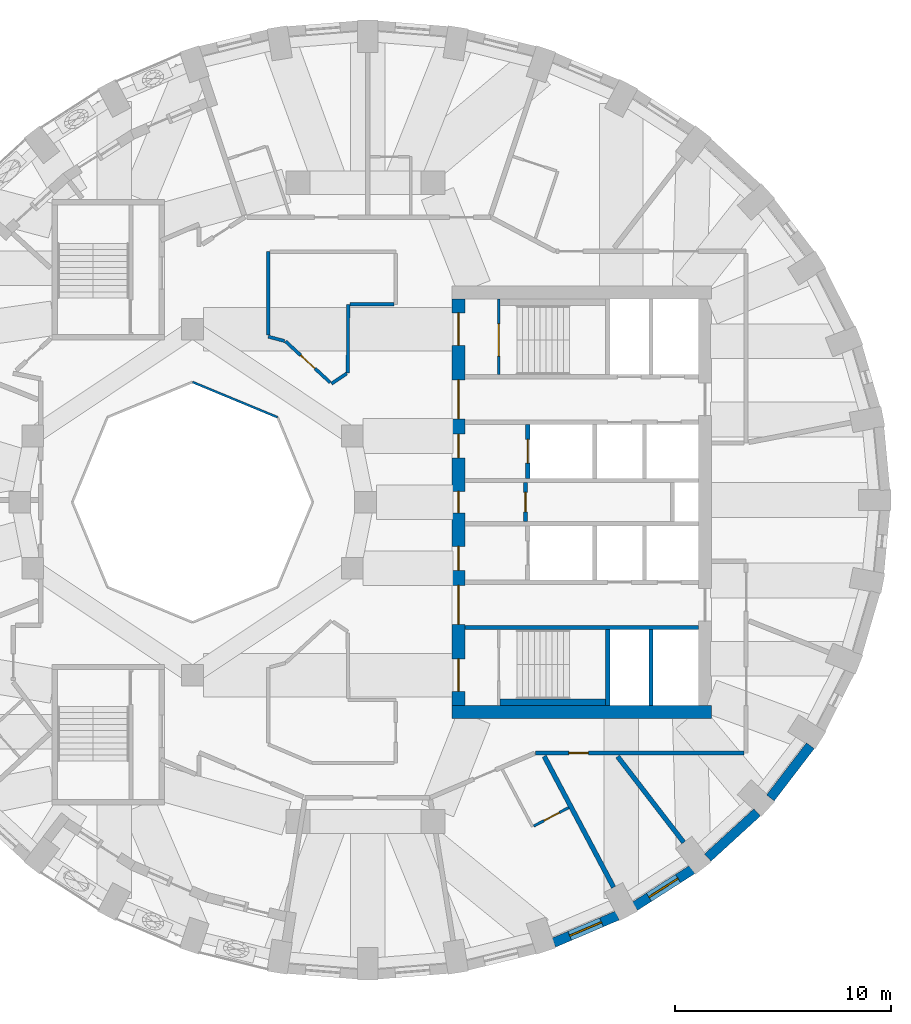
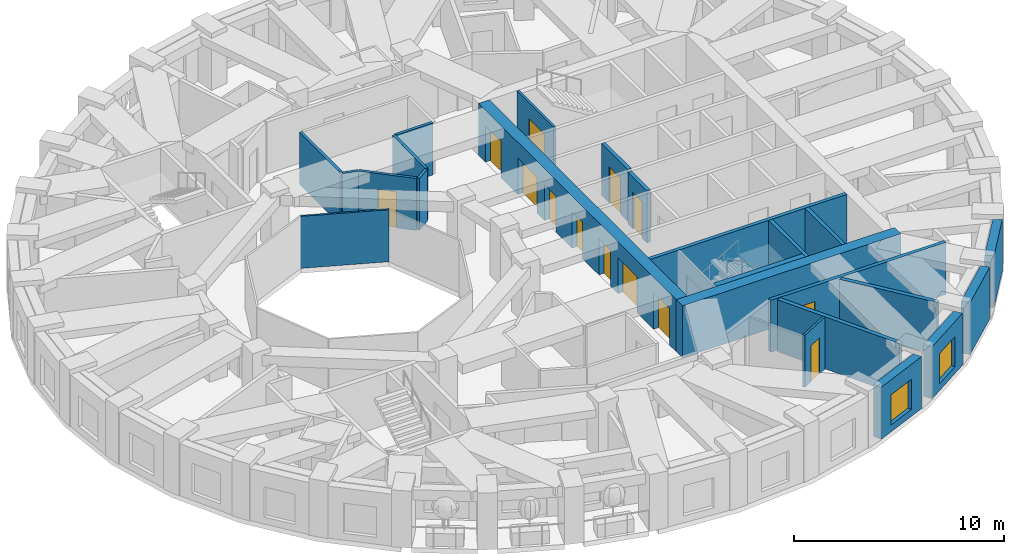
# One storey, part 5 of 12: 24 walls, 13 doors, 2 windows, 15 openings.
"""IFC4 building model written with IfcOpenShell, lengths in metres."""

from ifc_helpers import new_model, si_unit, direction, frame, frame_2d, origin, place, context, subcontext, project, spatial, rectangle, extrude, material, layer, layer_set, type_object, element, fill, save


model = new_model("IFC4")

# Units and contexts
model_context = context("Model", 3, precision=1e-05, world=origin(), true_north=direction((0.0, 1.0)))
body_context = subcontext(model_context, "Body", "Model", "MODEL_VIEW")
ifc_project = project(units=[si_unit("LENGTHUNIT", "METRE"), si_unit("AREAUNIT", "SQUARE_METRE"), si_unit("VOLUMEUNIT", "CUBIC_METRE"), si_unit("PLANEANGLEUNIT", "RADIAN"), si_unit("MASSUNIT", "GRAM", prefix="KILO")], contexts=[model_context])

# Site, building, storey
site_placement = place(None, origin())
site = spatial("IfcSite", under=ifc_project, at=site_placement, CompositionType="ELEMENT")
building_placement = place(site_placement, origin())
building = spatial("IfcBuilding", under=site, at=building_placement, Name="Taillehof Tower", CompositionType="ELEMENT")
storey_placement = place(building_placement, frame((0.0, 0.0, 168.199951171875)))
storey = spatial("IfcBuildingStorey", under=building, at=storey_placement, Name="L47", CompositionType="ELEMENT", Elevation=168.199951171875)

# Wall
ifc_material_1 = material(Name="Fire-resisting glass in steel frame", Category="steel")
ifc_layer_1 = layer(ifc_material_1, 0.10009765625)
ifc_layer_set_1 = layer_set([ifc_layer_1], Name="Atrium fire-resisting screen EI 60 100")
wall_type_1 = type_object("IfcWallType", Name="Atrium fire-resisting screen EI 60 100", PredefinedType="PARTITIONING", material=ifc_layer_set_1)
wall_1_placement = place(storey_placement, frame((-8.0, 5.55419921875, 0.0), z_axis=(0.0, 0.0, 1.0), x_axis=(0.923860025149, -0.382730523909, 0.0)))
element("IfcWall", 1, at=wall_1_placement, inside=storey, type_object=wall_type_1, Name="Atrium screen", PredefinedType="PARTITIONING", context=body_context, shape_type="SweptSolid", body=[
    extrude(rectangle(XDim=4.2509765625, YDim=0.10009765625, at=frame_2d((2.12548828125, 0.0))), origin(), (0.0, 0.0, 1.0), 3.02001953125),
])

# Wall, opening, window
ifc_material_2 = material(Name="Brick masonry", Category="masonry")
ifc_layer_2 = layer(ifc_material_2, 0.449951171875)
ifc_layer_set_2 = layer_set([ifc_layer_2], Name="Brick infill wall 450")
wall_type_2 = type_object("IfcWallType", Name="Brick infill wall 450", PredefinedType="SOLIDWALL", material=ifc_layer_set_2)
wall_2_placement = place(storey_placement, frame((8.706298828125, -20.37451171875, 0.0), z_axis=(0.0, 0.0, 1.0), x_axis=(0.91981046949, 0.392362969986, 0.0)))
wall_2 = element("IfcWall", 2, at=wall_2_placement, inside=storey, type_object=wall_type_2, Name="Brick wall L47 bay 30", PredefinedType="SOLIDWALL", context=body_context, shape_type="SweptSolid", body=[
    extrude(rectangle(XDim=3.20068359375, YDim=0.449951171875, at=frame_2d((1.600341796875, 0.0))), origin(), (0.0, 0.0, 1.0), 3.02001953125),
])
opening_1_placement = place(wall_2_placement, frame((0.80029296875, 0.0, 0.39990234375)))
opening_1 = element("IfcOpeningElement", 3, at=opening_1_placement, cuts=wall_2, Name="Opening W3", PredefinedType="OPENING", context=body_context, shape_type="SweptSolid", body=[
    extrude(rectangle(XDim=1.60009765625, YDim=1.75, at=frame_2d((0.800048828125, 0.875))), frame((0.0, 0.23486328125, 0.0), z_axis=(0.0, -1.0, 0.0), x_axis=(1.0, 0.0, 0.0)), (0.0, 0.0, 1.0), 0.469970703125),
])
ifc_material_3 = material(Name="Aluminium window frame with clear double glazing", Category="aluminium")
window_type = type_object("IfcWindowType", Name="Deep-set window 1600x1750", PartitioningType="SINGLE_PANEL", PredefinedType="WINDOW", material=ifc_material_3)
window_1_placement = place(opening_1_placement, origin())
window_1 = element("IfcWindow", 4, at=window_1_placement, inside=storey, type_object=window_type, Name="W3", OverallHeight=1.75, OverallWidth=1.60009765625, PartitioningType="SINGLE_PANEL", PredefinedType="WINDOW", context=body_context, shape_type="SweptSolid", body=[
    extrude(rectangle(XDim=1.60009765625, YDim=1.75, at=frame_2d((0.800048828125, 0.875))), frame((0.0, 0.034912109375, 0.0), z_axis=(0.0, -1.0, 0.0), x_axis=(1.0, 0.0, 0.0)), (0.0, 0.0, 1.0), 0.06005859375),
])
fill(opening_1, window_1)

wall_3_placement = place(storey_placement, frame((12.454833984375, -18.693115234375, 0.0), z_axis=(0.0, 0.0, 1.0), x_axis=(0.842065914439, 0.539374633943, 0.0)))
wall_3 = element("IfcWall", 5, at=wall_3_placement, inside=storey, type_object=wall_type_2, Name="Brick wall L47 bay 31", PredefinedType="SOLIDWALL", context=body_context, shape_type="SweptSolid", body=[
    extrude(rectangle(XDim=3.1513671875, YDim=0.449951171875, at=frame_2d((1.57568359375, 0.0))), origin(), (0.0, 0.0, 1.0), 3.02001953125),
])
opening_2_placement = place(wall_3_placement, frame((0.775634765625, 0.0, 0.39990234375)))
opening_2 = element("IfcOpeningElement", 6, at=opening_2_placement, cuts=wall_3, Name="Opening W3", PredefinedType="OPENING", context=body_context, shape_type="SweptSolid", body=[
    extrude(rectangle(XDim=1.60009765625, YDim=1.75, at=frame_2d((0.800048828125, 0.875))), frame((0.0, 0.23486328125, 0.0), z_axis=(0.0, -1.0, 0.0), x_axis=(1.0, 0.0, 0.0)), (0.0, 0.0, 1.0), 0.469970703125),
])
window_2_placement = place(opening_2_placement, origin())
window_2 = element("IfcWindow", 7, at=window_2_placement, inside=storey, type_object=window_type, Name="W3", OverallHeight=1.75, OverallWidth=1.60009765625, PartitioningType="SINGLE_PANEL", PredefinedType="WINDOW", context=body_context, shape_type="SweptSolid", body=[
    extrude(rectangle(XDim=1.60009765625, YDim=1.75, at=frame_2d((0.800048828125, 0.875))), frame((0.0, 0.034912109375, 0.0), z_axis=(0.0, -1.0, 0.0), x_axis=(1.0, 0.0, 0.0)), (0.0, 0.0, 1.0), 0.06005859375),
])
fill(opening_2, window_2)

# Walls
wall_4_placement = place(storey_placement, frame((15.830078125, -16.438720703125, 0.0), z_axis=(0.0, 0.0, 1.0), x_axis=(0.737808755941, 0.675009807082, 0.0)))
element("IfcWall", 8, at=wall_4_placement, inside=storey, type_object=wall_type_2, Name="Brick wall L47 bay 32", PredefinedType="SOLIDWALL", context=body_context, shape_type="SweptSolid", body=[
    extrude(rectangle(XDim=3.094482421875, YDim=0.449951171875, at=frame_2d((1.54736328125, 0.0))), origin(), (0.0, 0.0, 1.0), 3.02001953125),
])
wall_5_placement = place(storey_placement, frame((18.72802734375, -13.6787109375, 0.0), z_axis=(0.0, 0.0, 1.0), x_axis=(0.607817056371, 0.794077090706, 0.0)))
element("IfcWall", 9, at=wall_5_placement, inside=storey, type_object=wall_type_2, Name="Brick wall L47 bay 33", PredefinedType="SOLIDWALL", context=body_context, shape_type="SweptSolid", body=[
    extrude(rectangle(XDim=3.037109375, YDim=0.449951171875, at=frame_2d((1.5185546875, 0.0))), origin(), (0.0, 0.0, 1.0), 3.02001953125),
])

# Wall, opening, door
ifc_material_4 = material(Name="Calcium silicate masonry", Category="masonry")
ifc_layer_3 = layer(ifc_material_4, 0.199951171875)
ifc_layer_set_3 = layer_set([ifc_layer_3], Name="Compartment wall calcium silicate 200")
wall_type_3 = type_object("IfcWallType", Name="Compartment wall calcium silicate 200", PredefinedType="PARTITIONING", material=ifc_layer_set_3)
wall_6_placement = place(storey_placement, frame((7.39990234375, -0.89990234375, 0.0), z_axis=(0.0, 0.0, 1.0), x_axis=(0.0, 1.0, 0.0)))
wall_6 = element("IfcWall", 10, at=wall_6_placement, inside=storey, type_object=wall_type_3, Name="Compartment wall FW", PredefinedType="PARTITIONING", context=body_context, shape_type="SweptSolid", body=[
    extrude(rectangle(XDim=1.7998046875, YDim=0.199951171875, at=frame_2d((0.89990234375, 0.0))), origin(), (0.0, 0.0, 1.0), 3.02001953125),
])
opening_3_placement = place(wall_6_placement, frame((0.449951171875, 0.0, 0.0)))
opening_3 = element("IfcOpeningElement", 11, at=opening_3_placement, cuts=wall_6, Name="Opening D4714", PredefinedType="OPENING", context=body_context, shape_type="SweptSolid", body=[
    extrude(rectangle(XDim=0.89990234375, YDim=2.10009765625, at=frame_2d((0.449951171875, 1.050048828125))), frame((0.0, 0.10986328125, 0.0), z_axis=(0.0, -1.0, 0.0), x_axis=(1.0, 0.0, 0.0)), (0.0, 0.0, 1.0), 0.219970703125),
])
ifc_material_5 = material(Name="Steel-faced fire door", Category="steel")
door_type_1 = type_object("IfcDoorType", Name="Riser and service room door 900x2100", OperationType="SINGLE_SWING_LEFT", PredefinedType="DOOR", material=ifc_material_5)
door_1_placement = place(opening_3_placement, origin())
door_1 = element("IfcDoor", 12, at=door_1_placement, inside=storey, type_object=door_type_1, Name="Door Beverage Store", OperationType="SINGLE_SWING_RIGHT", OverallHeight=2.10009765625, OverallWidth=0.89990234375, PredefinedType="DOOR", context=body_context, shape_type="SweptSolid", body=[
    extrude(rectangle(XDim=0.89990234375, YDim=2.10009765625, at=frame_2d((0.449951171875, 1.050048828125))), frame((0.0, 0.02490234375, 0.0), z_axis=(0.0, -1.0, 0.0), x_axis=(1.0, 0.0, 0.0)), (0.0, 0.0, 1.0), 0.050048828125),
])
fill(opening_3, door_1)

ifc_material_6 = material(Name="Gypsum board on steel studs, two layers each side", Category="steel")
ifc_layer_4 = layer(ifc_material_6, 0.199951171875)
ifc_layer_set_4 = layer_set([ifc_layer_4], Name="Compartment wall corridor 200")
wall_type_4 = type_object("IfcWallType", Name="Compartment wall corridor 200", PredefinedType="PARTITIONING", material=ifc_layer_set_4)
wall_7_placement = place(storey_placement, frame((17.5, -11.60009765625, 0.0), z_axis=(0.0, 0.0, 1.0), x_axis=(-1.0, 0.0, 0.0)))
wall_7 = element("IfcWall", 13, at=wall_7_placement, inside=storey, type_object=wall_type_4, Name="Compartment wall", PredefinedType="PARTITIONING", context=body_context, shape_type="SweptSolid", body=[
    extrude(rectangle(XDim=9.64697265625, YDim=0.199951171875, at=frame_2d((4.823486328125, 0.0))), origin(), (0.0, 0.0, 1.0), 3.02001953125),
])
opening_4_placement = place(wall_7_placement, frame((7.192138671875, 0.0, 0.0)))
opening_4 = element("IfcOpeningElement", 14, at=opening_4_placement, cuts=wall_7, Name="Opening D4756", PredefinedType="OPENING", context=body_context, shape_type="SweptSolid", body=[
    extrude(rectangle(XDim=0.89990234375, YDim=2.10009765625, at=frame_2d((0.449951171875, 1.050048828125))), frame((0.0, 0.10986328125, 0.0), z_axis=(0.0, -1.0, 0.0), x_axis=(1.0, 0.0, 0.0)), (0.0, 0.0, 1.0), 0.219970703125),
])
ifc_material_7 = material(Name="Timber door leaf in steel frame", Category="steel")
door_type_2 = type_object("IfcDoorType", Name="Service room door EI 30 900 x 2100", OperationType="SINGLE_SWING_LEFT", PredefinedType="DOOR", material=ifc_material_7)
door_2_placement = place(opening_4_placement, origin())
door_2 = element("IfcDoor", 15, at=door_2_placement, inside=storey, type_object=door_type_2, Name="D4756", OperationType="SINGLE_SWING_RIGHT", OverallHeight=2.10009765625, OverallWidth=0.89990234375, PredefinedType="DOOR", context=body_context, shape_type="SweptSolid", body=[
    extrude(rectangle(XDim=0.89990234375, YDim=2.10009765625, at=frame_2d((0.449951171875, 1.050048828125))), frame((0.0, 0.02490234375, 0.0), z_axis=(0.0, -1.0, 0.0), x_axis=(1.0, 0.0, 0.0)), (0.0, 0.0, 1.0), 0.050048828125),
])
fill(opening_4, door_2)

# Walls
ifc_material_8 = material(Name="Gypsum board on double steel studs with mineral wool", Category="steel")
ifc_layer_5 = layer(ifc_material_8, 0.219970703125)
ifc_layer_set_5 = layer_set([ifc_layer_5], Name="Compartment wall guest room 220")
wall_type_5 = type_object("IfcWallType", Name="Compartment wall guest room 220", PredefinedType="PARTITIONING", material=ifc_layer_set_5)
wall_8_placement = place(storey_placement, frame((11.473876953125, -17.8134765625, 0.0), z_axis=(0.0, 0.0, 1.0), x_axis=(-0.468051273849, 0.88370130986, 0.0)))
element("IfcWall", 16, at=wall_8_placement, inside=storey, type_object=wall_type_5, Name="Compartment wall", PredefinedType="PARTITIONING", context=body_context, shape_type="SweptSolid", body=[
    extrude(rectangle(XDim=6.858154296875, YDim=0.219970703125, at=frame_2d((3.42919921875, 0.0))), origin(), (0.0, 0.0, 1.0), 3.02001953125),
])
wall_9_placement = place(storey_placement, frame((14.7158203125, -15.7373046875, 0.0), z_axis=(0.0, 0.0, 1.0), x_axis=(-0.609986007715, 0.792412184657, 0.0)))
element("IfcWall", 17, at=wall_9_placement, inside=storey, type_object=wall_type_5, Name="Compartment wall", PredefinedType="PARTITIONING", context=body_context, shape_type="SweptSolid", body=[
    extrude(rectangle(XDim=5.0146484375, YDim=0.219970703125, at=frame_2d((2.50732421875, 0.0))), origin(), (0.0, 0.0, 1.0), 3.02001953125),
])
ifc_material_9 = material(Name="Calcium silicate masonry", Category="masonry")
ifc_layer_6 = layer(ifc_material_9, 0.300048828125)
ifc_layer_set_6 = layer_set([ifc_layer_6], Name="Compartment wall lining calcium silicate 300")
wall_type_6 = type_object("IfcWallType", Name="Compartment wall lining calcium silicate 300", PredefinedType="PARTITIONING", material=ifc_layer_set_6)
wall_10_placement = place(storey_placement, frame((6.219970703125, -9.25, 0.0), z_axis=(0.0, 0.0, 1.0), x_axis=(1.0, 0.0, 0.0)))
element("IfcWall", 18, at=wall_10_placement, inside=storey, type_object=wall_type_6, Name="Compartment wall FW", PredefinedType="PARTITIONING", context=body_context, shape_type="SweptSolid", body=[
    extrude(rectangle(XDim=4.880126953125, YDim=0.300048828125, at=frame_2d((2.43994140625, 0.0))), origin(), (0.0, 0.0, 1.0), 3.02001953125),
])
ifc_material_10 = material(Name="Gypsum board on steel studs, two layers each side", Category="steel")
ifc_layer_7 = layer(ifc_material_10, 0.14990234375)
ifc_layer_set_7 = layer_set([ifc_layer_7], Name="Compartment wall service room 150")
wall_type_7 = type_object("IfcWallType", Name="Compartment wall service room 150", PredefinedType="PARTITIONING", material=ifc_layer_set_7)
wall_11_placement = place(storey_placement, frame((-0.800048828125, 9.14990234375, 0.0), z_axis=(0.0, 0.0, 1.0), x_axis=(-0.007013855529, -0.999975402613, 0.0)))
element("IfcWall", 19, at=wall_11_placement, inside=storey, type_object=wall_type_7, Name="Compartment wall", PredefinedType="PARTITIONING", context=body_context, shape_type="SweptSolid", body=[
    extrude(rectangle(XDim=3.16748046875, YDim=0.14990234375, at=frame_2d((1.583740234375, 0.0))), origin(), (0.0, 0.0, 1.0), 3.02001953125),
])
wall_12_placement = place(storey_placement, frame((-0.8720703125, 5.94873046875, 0.0), z_axis=(0.0, 0.0, 1.0), x_axis=(-0.831694574928, -0.555233405006, 0.0)))
element("IfcWall", 20, at=wall_12_placement, inside=storey, type_object=wall_type_7, Name="Compartment wall", PredefinedType="PARTITIONING", context=body_context, shape_type="SweptSolid", body=[
    extrude(rectangle(XDim=0.84521484375, YDim=0.14990234375, at=frame_2d((0.422607421875, 0.0))), origin(), (0.0, 0.0, 1.0), 3.02001953125),
])

# Wall, opening, door
wall_13_placement = place(storey_placement, frame((-1.633544921875, 5.5341796875, 0.0), z_axis=(0.0, 0.0, 1.0), x_axis=(-0.735398368623, 0.67763503409, 0.0)))
wall_13 = element("IfcWall", 21, at=wall_13_placement, inside=storey, type_object=wall_type_7, Name="Compartment wall", PredefinedType="PARTITIONING", context=body_context, shape_type="SweptSolid", body=[
    extrude(rectangle(XDim=2.81494140625, YDim=0.14990234375, at=frame_2d((1.407470703125, 0.0))), origin(), (0.0, 0.0, 1.0), 3.02001953125),
])
opening_5_placement = place(wall_13_placement, frame((0.95751953125, 0.0, 0.0)))
opening_5 = element("IfcOpeningElement", 22, at=opening_5_placement, cuts=wall_13, Name="Opening D4760", PredefinedType="OPENING", context=body_context, shape_type="SweptSolid", body=[
    extrude(rectangle(XDim=0.89990234375, YDim=2.10009765625, at=frame_2d((0.449951171875, 1.050048828125))), frame((0.0, 0.0849609375, 0.0), z_axis=(0.0, -1.0, 0.0), x_axis=(1.0, 0.0, 0.0)), (0.0, 0.0, 1.0), 0.169921875),
])
door_3_placement = place(opening_5_placement, origin())
door_3 = element("IfcDoor", 23, at=door_3_placement, inside=storey, type_object=door_type_2, Name="D4760", OperationType="SINGLE_SWING_RIGHT", OverallHeight=2.10009765625, OverallWidth=0.89990234375, PredefinedType="DOOR", context=body_context, shape_type="SweptSolid", body=[
    extrude(rectangle(XDim=0.89990234375, YDim=2.10009765625, at=frame_2d((0.449951171875, 1.050048828125))), frame((0.0, 0.02490234375, 0.0), z_axis=(0.0, -1.0, 0.0), x_axis=(1.0, 0.0, 0.0)), (0.0, 0.0, 1.0), 0.050048828125),
])
fill(opening_5, door_3)

# Walls
wall_14_placement = place(storey_placement, frame((-3.7421875, 7.451904296875, 0.0), z_axis=(0.0, 0.0, 1.0), x_axis=(-0.965903596155, 0.258901994846, 0.0)))
element("IfcWall", 24, at=wall_14_placement, inside=storey, type_object=wall_type_7, Name="Compartment wall", PredefinedType="PARTITIONING", context=body_context, shape_type="SweptSolid", body=[
    extrude(rectangle(XDim=0.78466796875, YDim=0.14990234375, at=frame_2d((0.392333984375, 0.0))), origin(), (0.0, 0.0, 1.0), 3.02001953125),
])
wall_15_placement = place(storey_placement, frame((-4.5, 7.735107421875, 0.0), z_axis=(0.0, 0.0, 1.0), x_axis=(0.0, 1.0, 0.0)))
element("IfcWall", 25, at=wall_15_placement, inside=storey, type_object=wall_type_7, Name="Compartment wall", PredefinedType="PARTITIONING", context=body_context, shape_type="SweptSolid", body=[
    extrude(rectangle(XDim=3.84814453125, YDim=0.14990234375, at=frame_2d((1.924072265625, 0.0))), origin(), (0.0, 0.0, 1.0), 3.02001953125),
])
wall_16_placement = place(storey_placement, frame((1.31982421875, 9.14990234375, 0.0), z_axis=(0.0, 0.0, 1.0), x_axis=(-1.0, 0.0, 0.0)))
element("IfcWall", 26, at=wall_16_placement, inside=storey, type_object=wall_type_7, Name="Compartment wall", PredefinedType="PARTITIONING", context=body_context, shape_type="SweptSolid", body=[
    extrude(rectangle(XDim=2.039794921875, YDim=0.14990234375, at=frame_2d((1.02001953125, 0.0))), origin(), (0.0, 0.0, 1.0), 3.02001953125),
])

# Wall, openings, doors
ifc_material_11 = material(Name="Concrete C80/95", Category="concrete")
ifc_layer_8 = layer(ifc_material_11, 0.60009765625)
ifc_layer_set_8 = layer_set([ifc_layer_8], Name="Core wall C80/95 600")
wall_type_8 = type_object("IfcWallType", Name="Core wall C80/95 600", PredefinedType="SHEAR", material=ifc_layer_set_8)
wall_17_placement = place(storey_placement, frame((4.300048828125, -9.39990234375, 0.0), z_axis=(0.0, 0.0, 1.0), x_axis=(0.0, 1.0, 0.0)))
wall_17 = element("IfcWall", 27, at=wall_17_placement, inside=storey, type_object=wall_type_8, Name="Core wall CW01", PredefinedType="SHEAR", context=body_context, shape_type="SweptSolid", body=[
    extrude(rectangle(XDim=18.7998046875, YDim=0.60009765625, at=frame_2d((9.39990234375, 0.0))), origin(), (0.0, 0.0, 1.0), 3.02001953125),
])
opening_6_placement = place(wall_17_placement, frame((0.64990234375, 0.0, 0.0)))
opening_6 = element("IfcOpeningElement", 28, at=opening_6_placement, cuts=wall_17, Name="Opening D4701", PredefinedType="OPENING", context=body_context, shape_type="SweptSolid", body=[
    extrude(rectangle(XDim=1.5, YDim=2.10009765625, at=frame_2d((0.75, 1.050048828125))), frame((0.0, 0.31005859375, 0.0), z_axis=(0.0, -1.0, 0.0), x_axis=(1.0, 0.0, 0.0)), (0.0, 0.0, 1.0), 0.6201171875),
])
opening_7_placement = place(wall_17_placement, frame((3.75, 0.0, 0.0)))
opening_7 = element("IfcOpeningElement", 29, at=opening_7_placement, cuts=wall_17, Name="Opening D4702", PredefinedType="OPENING", context=body_context, shape_type="SweptSolid", body=[
    extrude(rectangle(XDim=1.800048828125, YDim=2.10009765625, at=frame_2d((0.89990234375, 1.050048828125))), frame((0.0, 0.31005859375, 0.0), z_axis=(0.0, -1.0, 0.0), x_axis=(1.0, 0.0, 0.0)), (0.0, 0.0, 1.0), 0.6201171875),
])
opening_8_placement = place(wall_17_placement, frame((6.25, 0.0, 0.0)))
opening_8 = element("IfcOpeningElement", 30, at=opening_8_placement, cuts=wall_17, Name="Opening D4703", PredefinedType="OPENING", context=body_context, shape_type="SweptSolid", body=[
    extrude(rectangle(XDim=1.10009765625, YDim=2.10009765625, at=frame_2d((0.550048828125, 1.050048828125))), frame((0.0, 0.31005859375, 0.0), z_axis=(0.0, -1.0, 0.0), x_axis=(1.0, 0.0, 0.0)), (0.0, 0.0, 1.0), 0.6201171875),
])
opening_9_placement = place(wall_17_placement, frame((8.89990234375, 0.0, 0.0)))
opening_9 = element("IfcOpeningElement", 31, at=opening_9_placement, cuts=wall_17, Name="Opening D4704", PredefinedType="OPENING", context=body_context, shape_type="SweptSolid", body=[
    extrude(rectangle(XDim=1.0, YDim=2.10009765625, at=frame_2d((0.5, 1.050048828125))), frame((0.0, 0.31005859375, 0.0), z_axis=(0.0, -1.0, 0.0), x_axis=(1.0, 0.0, 0.0)), (0.0, 0.0, 1.0), 0.6201171875),
])
opening_10_placement = place(wall_17_placement, frame((11.449951171875, 0.0, 0.0)))
opening_10 = element("IfcOpeningElement", 32, at=opening_10_placement, cuts=wall_17, Name="Opening D4705", PredefinedType="OPENING", context=body_context, shape_type="SweptSolid", body=[
    extrude(rectangle(XDim=1.10009765625, YDim=2.10009765625, at=frame_2d((0.550048828125, 1.050048828125))), frame((0.0, 0.31005859375, 0.0), z_axis=(0.0, -1.0, 0.0), x_axis=(1.0, 0.0, 0.0)), (0.0, 0.0, 1.0), 0.6201171875),
])
opening_11_placement = place(wall_17_placement, frame((13.25, 0.0, 0.0)))
opening_11 = element("IfcOpeningElement", 33, at=opening_11_placement, cuts=wall_17, Name="Opening D4706", PredefinedType="OPENING", context=body_context, shape_type="SweptSolid", body=[
    extrude(rectangle(XDim=1.800048828125, YDim=2.10009765625, at=frame_2d((0.89990234375, 1.050048828125))), frame((0.0, 0.31005859375, 0.0), z_axis=(0.0, -1.0, 0.0), x_axis=(1.0, 0.0, 0.0)), (0.0, 0.0, 1.0), 0.6201171875),
])
opening_12_placement = place(wall_17_placement, frame((16.64990234375, 0.0, 0.0)))
opening_12 = element("IfcOpeningElement", 34, at=opening_12_placement, cuts=wall_17, Name="Opening D4707", PredefinedType="OPENING", context=body_context, shape_type="SweptSolid", body=[
    extrude(rectangle(XDim=1.5, YDim=2.10009765625, at=frame_2d((0.75, 1.050048828125))), frame((0.0, 0.31005859375, 0.0), z_axis=(0.0, -1.0, 0.0), x_axis=(1.0, 0.0, 0.0)), (0.0, 0.0, 1.0), 0.6201171875),
])
ifc_material_12 = material(Name="Steel-faced fire door", Category="steel")
door_type_3 = type_object("IfcDoorType", Name="Firefighting lobby door 1100x2100", OperationType="SINGLE_SWING_RIGHT", PredefinedType="DOOR", material=ifc_material_12)
door_4_placement = place(opening_8_placement, origin())
door_4 = element("IfcDoor", 35, at=door_4_placement, inside=storey, type_object=door_type_3, Name="Firefighting lobby door FFL-S", OperationType="SINGLE_SWING_RIGHT", OverallHeight=2.10009765625, OverallWidth=1.10009765625, PredefinedType="DOOR", context=body_context, shape_type="SweptSolid", body=[
    extrude(rectangle(XDim=1.10009765625, YDim=2.10009765625, at=frame_2d((0.550048828125, 1.050048828125))), frame((0.0, 0.02490234375, 0.0), z_axis=(0.0, -1.0, 0.0), x_axis=(1.0, 0.0, 0.0)), (0.0, 0.0, 1.0), 0.050048828125),
])
fill(opening_8, door_4)
door_5_placement = place(opening_10_placement, origin())
door_5 = element("IfcDoor", 36, at=door_5_placement, inside=storey, type_object=door_type_3, Name="Firefighting lobby door FFL-N", OperationType="SINGLE_SWING_LEFT", OverallHeight=2.10009765625, OverallWidth=1.10009765625, PredefinedType="DOOR", context=body_context, shape_type="SweptSolid", body=[
    extrude(rectangle(XDim=1.10009765625, YDim=2.10009765625, at=frame_2d((0.550048828125, 1.050048828125))), frame((0.0, 0.02490234375, 0.0), z_axis=(0.0, -1.0, 0.0), x_axis=(1.0, 0.0, 0.0)), (0.0, 0.0, 1.0), 0.050048828125),
])
fill(opening_10, door_5)
ifc_material_13 = material(Name="Steel-faced fire door", Category="steel")
door_type_4 = type_object("IfcDoorType", Name="Lift lobby door 1800x2100", OperationType="DOUBLE_DOOR_SINGLE_SWING", PredefinedType="DOOR", material=ifc_material_13)
door_6_placement = place(opening_7_placement, origin())
door_6 = element("IfcDoor", 37, at=door_6_placement, inside=storey, type_object=door_type_4, Name="Lift lobby door LL-S", OperationType="DOUBLE_DOOR_SINGLE_SWING", OverallHeight=2.10009765625, OverallWidth=1.800048828125, PredefinedType="DOOR", context=body_context, shape_type="SweptSolid", body=[
    extrude(rectangle(XDim=1.800048828125, YDim=2.10009765625, at=frame_2d((0.89990234375, 1.050048828125))), frame((0.0, 0.02490234375, 0.0), z_axis=(0.0, -1.0, 0.0), x_axis=(1.0, 0.0, 0.0)), (0.0, 0.0, 1.0), 0.050048828125),
])
fill(opening_7, door_6)
door_7_placement = place(opening_11_placement, origin())
door_7 = element("IfcDoor", 38, at=door_7_placement, inside=storey, type_object=door_type_4, Name="Lift lobby door LL-N", OperationType="DOUBLE_DOOR_SINGLE_SWING", OverallHeight=2.10009765625, OverallWidth=1.800048828125, PredefinedType="DOOR", context=body_context, shape_type="SweptSolid", body=[
    extrude(rectangle(XDim=1.800048828125, YDim=2.10009765625, at=frame_2d((0.89990234375, 1.050048828125))), frame((0.0, 0.02490234375, 0.0), z_axis=(0.0, -1.0, 0.0), x_axis=(1.0, 0.0, 0.0)), (0.0, 0.0, 1.0), 0.050048828125),
])
fill(opening_11, door_7)
ifc_material_14 = material(Name="Steel-faced fire door", Category="steel")
door_type_5 = type_object("IfcDoorType", Name="Service door 1000x2100", OperationType="SINGLE_SWING_RIGHT", PredefinedType="DOOR", material=ifc_material_14)
door_8_placement = place(opening_9_placement, origin())
door_8 = element("IfcDoor", 39, at=door_8_placement, inside=storey, type_object=door_type_5, Name="Service door SV", OperationType="SINGLE_SWING_LEFT", OverallHeight=2.10009765625, OverallWidth=1.0, PredefinedType="DOOR", context=body_context, shape_type="SweptSolid", body=[
    extrude(rectangle(XDim=1.0, YDim=2.10009765625, at=frame_2d((0.5, 1.050048828125))), frame((0.0, 0.02490234375, 0.0), z_axis=(0.0, -1.0, 0.0), x_axis=(1.0, 0.0, 0.0)), (0.0, 0.0, 1.0), 0.050048828125),
])
fill(opening_9, door_8)
ifc_material_15 = material(Name="Steel-faced fire door", Category="steel")
door_type_6 = type_object("IfcDoorType", Name="Stair door 1500x2100", OperationType="DOUBLE_DOOR_SINGLE_SWING", PredefinedType="DOOR", material=ifc_material_15)
door_9_placement = place(opening_6_placement, origin())
door_9 = element("IfcDoor", 40, at=door_9_placement, inside=storey, type_object=door_type_6, Name="Stair door S2", OperationType="DOUBLE_DOOR_SINGLE_SWING", OverallHeight=2.10009765625, OverallWidth=1.5, PredefinedType="DOOR", context=body_context, shape_type="SweptSolid", body=[
    extrude(rectangle(XDim=1.5, YDim=2.10009765625, at=frame_2d((0.75, 1.050048828125))), frame((0.0, 0.02490234375, 0.0), z_axis=(0.0, -1.0, 0.0), x_axis=(1.0, 0.0, 0.0)), (0.0, 0.0, 1.0), 0.050048828125),
])
fill(opening_6, door_9)
door_10_placement = place(opening_12_placement, origin())
door_10 = element("IfcDoor", 41, at=door_10_placement, inside=storey, type_object=door_type_6, Name="Stair door S1", OperationType="DOUBLE_DOOR_SINGLE_SWING", OverallHeight=2.10009765625, OverallWidth=1.5, PredefinedType="DOOR", context=body_context, shape_type="SweptSolid", body=[
    extrude(rectangle(XDim=1.5, YDim=2.10009765625, at=frame_2d((0.75, 1.050048828125))), frame((0.0, 0.02490234375, 0.0), z_axis=(0.0, -1.0, 0.0), x_axis=(1.0, 0.0, 0.0)), (0.0, 0.0, 1.0), 0.050048828125),
])
fill(opening_12, door_10)

# Wall
wall_18_placement = place(storey_placement, frame((4.0, -9.699951171875, 0.0), z_axis=(0.0, 0.0, 1.0), x_axis=(1.0, 0.0, 0.0)))
element("IfcWall", 42, at=wall_18_placement, inside=storey, type_object=wall_type_8, Name="Core wall CW07", PredefinedType="SHEAR", context=body_context, shape_type="SweptSolid", body=[
    extrude(rectangle(XDim=12.0, YDim=0.60009765625, at=frame_2d((6.0, 0.0))), origin(), (0.0, 0.0, 1.0), 3.02001953125),
])

# Wall, opening, door
ifc_material_16 = material(Name="Gypsum board on steel studs, moisture resistant", Category="steel")
ifc_layer_9 = layer(ifc_material_16, 0.1201171875)
ifc_layer_set_9 = layer_set([ifc_layer_9], Name="En-suite wall 120")
wall_type_9 = type_object("IfcWallType", Name="En-suite wall 120", PredefinedType="PARTITIONING", material=ifc_layer_set_9)
wall_19_placement = place(storey_placement, frame((7.779052734375, -14.982666015625, 0.0), z_axis=(0.0, 0.0, 1.0), x_axis=(0.883697051485, 0.46805931376, 0.0)))
wall_19 = element("IfcWall", 43, at=wall_19_placement, inside=storey, type_object=wall_type_9, Name="En-suite wall", PredefinedType="PARTITIONING", context=body_context, shape_type="SweptSolid", body=[
    extrude(rectangle(XDim=1.830322265625, YDim=0.1201171875, at=frame_2d((0.9150390625, 0.0))), origin(), (0.0, 0.0, 1.0), 3.02001953125),
])
opening_13_placement = place(wall_19_placement, frame((0.540283203125, 0.0, 0.0)))
opening_13 = element("IfcOpeningElement", 44, at=opening_13_placement, cuts=wall_19, Name="Opening D4755", PredefinedType="OPENING", context=body_context, shape_type="SweptSolid", body=[
    extrude(rectangle(XDim=0.800048828125, YDim=2.10009765625, at=frame_2d((0.39990234375, 1.050048828125))), frame((0.0, 0.070068359375, 0.0), z_axis=(0.0, -1.0, 0.0), x_axis=(1.0, 0.0, 0.0)), (0.0, 0.0, 1.0), 0.14013671875),
])
ifc_material_17 = material(Name="Timber door leaf in steel frame", Category="steel")
door_type_7 = type_object("IfcDoorType", Name="En-suite door 800 x 2100", OperationType="SINGLE_SWING_LEFT", PredefinedType="DOOR", material=ifc_material_17)
door_11_placement = place(opening_13_placement, origin())
door_11 = element("IfcDoor", 45, at=door_11_placement, inside=storey, type_object=door_type_7, Name="D4755", OperationType="SINGLE_SWING_LEFT", OverallHeight=2.10009765625, OverallWidth=0.800048828125, PredefinedType="DOOR", context=body_context, shape_type="SweptSolid", body=[
    extrude(rectangle(XDim=0.800048828125, YDim=2.10009765625, at=frame_2d((0.39990234375, 1.050048828125))), frame((0.0, 0.02490234375, 0.0), z_axis=(0.0, -1.0, 0.0), x_axis=(1.0, 0.0, 0.0)), (0.0, 0.0, 1.0), 0.050048828125),
])
fill(opening_13, door_11)

# Walls
ifc_material_18 = material(Name="Concrete C50/60", Category="concrete")
ifc_layer_10 = layer(ifc_material_18, 0.199951171875)
ifc_layer_set_10 = layer_set([ifc_layer_10], Name="Shaft wall C50/60 200")
wall_type_10 = type_object("IfcWallType", Name="Shaft wall C50/60 200", PredefinedType="SHEAR", material=ifc_layer_set_10)
wall_20_placement = place(storey_placement, frame((4.60009765625, -5.800048828125, 0.0), z_axis=(0.0, 0.0, 1.0), x_axis=(1.0, 0.0, 0.0)))
element("IfcWall", 46, at=wall_20_placement, inside=storey, type_object=wall_type_10, Name="Shaft wall SW", PredefinedType="SHEAR", context=body_context, shape_type="SweptSolid", body=[
    extrude(rectangle(XDim=10.7998046875, YDim=0.199951171875, at=frame_2d((5.39990234375, 0.0))), origin(), (0.0, 0.0, 1.0), 3.02001953125),
])
for number, where, z_axis, x_axis, name in (
    (47, (11.199951171875, -9.39990234375, 0.0), (0.0, 0.0, 1.0), (0.0, 1.0, 0.0), "Shaft wall SW"),
    (48, (13.199951171875, -9.39990234375, 0.0), (0.0, 0.0, 1.0), (0.0, 1.0, 0.0), "Shaft wall SW"),
):
    element("IfcWall", number, at=place(storey_placement, frame(where, z_axis=z_axis, x_axis=x_axis)), inside=storey, type_object=wall_type_10, Name=name, PredefinedType="SHEAR", context=body_context, shape_type="SweptSolid", body=[
        extrude(rectangle(XDim=3.5, YDim=0.199951171875, at=frame_2d((1.75, 0.0))), origin(), (0.0, 0.0, 1.0), 3.02001953125),
    ])

# Wall, opening, door
wall_21_placement = place(storey_placement, frame((7.5, 1.10009765625, 0.0), z_axis=(0.0, 0.0, 1.0), x_axis=(0.0, 1.0, 0.0)))
wall_21 = element("IfcWall", 49, at=wall_21_placement, inside=storey, type_object=wall_type_10, Name="Shaft wall SW", PredefinedType="SHEAR", context=body_context, shape_type="SweptSolid", body=[
    extrude(rectangle(XDim=2.5, YDim=0.199951171875, at=frame_2d((1.25, 0.0))), origin(), (0.0, 0.0, 1.0), 3.02001953125),
])
opening_14_placement = place(wall_21_placement, frame((0.699951171875, 0.0, 0.0)))
opening_14 = element("IfcOpeningElement", 50, at=opening_14_placement, cuts=wall_21, Name="Opening LD1", PredefinedType="OPENING", context=body_context, shape_type="SweptSolid", body=[
    extrude(rectangle(XDim=1.10009765625, YDim=2.10009765625, at=frame_2d((0.550048828125, 1.050048828125))), frame((0.0, 0.10986328125, 0.0), z_axis=(0.0, -1.0, 0.0), x_axis=(1.0, 0.0, 0.0)), (0.0, 0.0, 1.0), 0.219970703125),
])
ifc_material_19 = material(Name="Stainless steel", Category="steel")
door_type_8 = type_object("IfcDoorType", Name="Lift landing door LD1 1100x2100", OperationType="DOUBLE_DOOR_SLIDING", PredefinedType="DOOR", material=ifc_material_19)
door_12_placement = place(opening_14_placement, origin())
door_12 = element("IfcDoor", 51, at=door_12_placement, inside=storey, type_object=door_type_8, Name="Landing door FF1", OperationType="DOUBLE_DOOR_SLIDING", OverallHeight=2.10009765625, OverallWidth=1.10009765625, PredefinedType="DOOR", context=body_context, shape_type="SweptSolid", body=[
    extrude(rectangle(XDim=1.10009765625, YDim=2.10009765625, at=frame_2d((0.550048828125, 1.050048828125))), frame((0.0, 0.02490234375, 0.0), z_axis=(0.0, -1.0, 0.0), x_axis=(1.0, 0.0, 0.0)), (0.0, 0.0, 1.0), 0.050048828125),
])
fill(opening_14, door_12)

ifc_material_20 = material(Name="Concrete C50/60", Category="concrete")
ifc_layer_11 = layer(ifc_material_20, 0.1201171875)
ifc_layer_set_11 = layer_set([ifc_layer_11], Name="Stair lobby wall C50/60 120")
wall_type_11 = type_object("IfcWallType", Name="Stair lobby wall C50/60 120", PredefinedType="SHEAR", material=ifc_layer_set_11)
wall_22_placement = place(storey_placement, frame((6.159912109375, 5.89990234375, 0.0), z_axis=(0.0, 0.0, 1.0), x_axis=(0.0, 1.0, 0.0)))
wall_22 = element("IfcWall", 52, at=wall_22_placement, inside=storey, type_object=wall_type_11, Name="Compartment wall SW", PredefinedType="SHEAR", context=body_context, shape_type="SweptSolid", body=[
    extrude(rectangle(XDim=3.5, YDim=0.1201171875, at=frame_2d((1.75, 0.0))), origin(), (0.0, 0.0, 1.0), 3.02001953125),
])
opening_15_placement = place(wall_22_placement, frame((0.85009765625, 0.0, 0.0)))
opening_15 = element("IfcOpeningElement", 53, at=opening_15_placement, cuts=wall_22, Name="Opening D4710", PredefinedType="OPENING", context=body_context, shape_type="SweptSolid", body=[
    extrude(rectangle(XDim=1.5, YDim=2.10009765625, at=frame_2d((0.75, 1.050048828125))), frame((0.0, 0.070068359375, 0.0), z_axis=(0.0, -1.0, 0.0), x_axis=(1.0, 0.0, 0.0)), (0.0, 0.0, 1.0), 0.14013671875),
])
door_13_placement = place(opening_15_placement, origin())
door_13 = element("IfcDoor", 54, at=door_13_placement, inside=storey, type_object=door_type_6, Name="Stair lobby door S1", OperationType="DOUBLE_DOOR_SINGLE_SWING", OverallHeight=2.10009765625, OverallWidth=1.5, PredefinedType="DOOR", context=body_context, shape_type="SweptSolid", body=[
    extrude(rectangle(XDim=1.5, YDim=2.10009765625, at=frame_2d((0.75, 1.050048828125))), frame((0.0, 0.02490234375, 0.0), z_axis=(0.0, -1.0, 0.0), x_axis=(1.0, 0.0, 0.0)), (0.0, 0.0, 1.0), 0.050048828125),
])
fill(opening_15, door_13)

save(model, "model.ifc")
